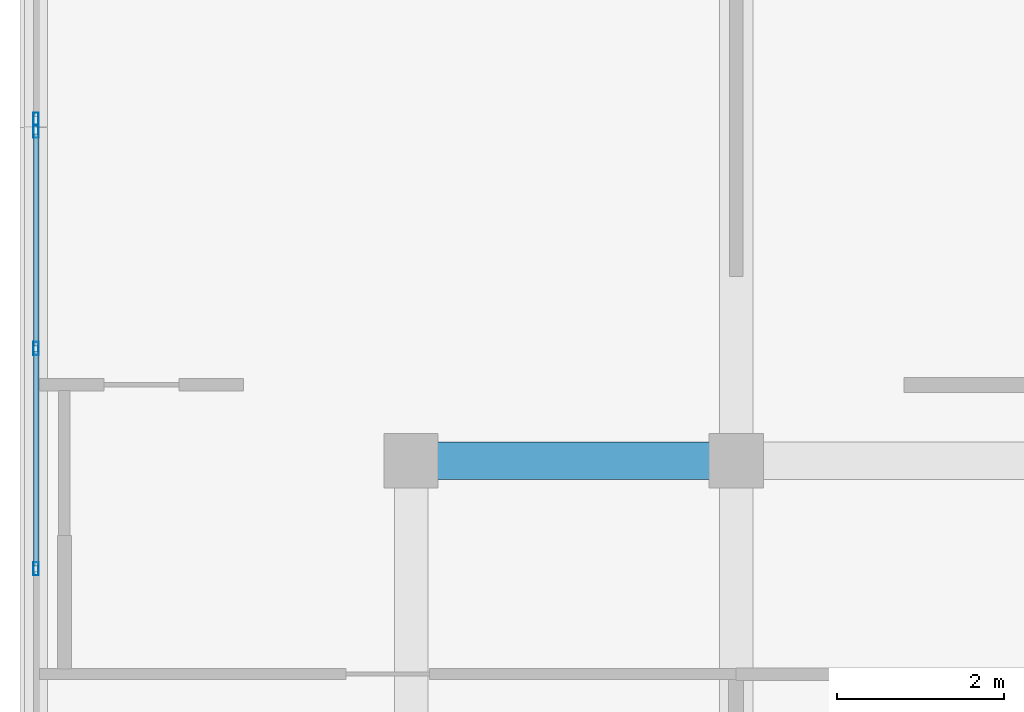
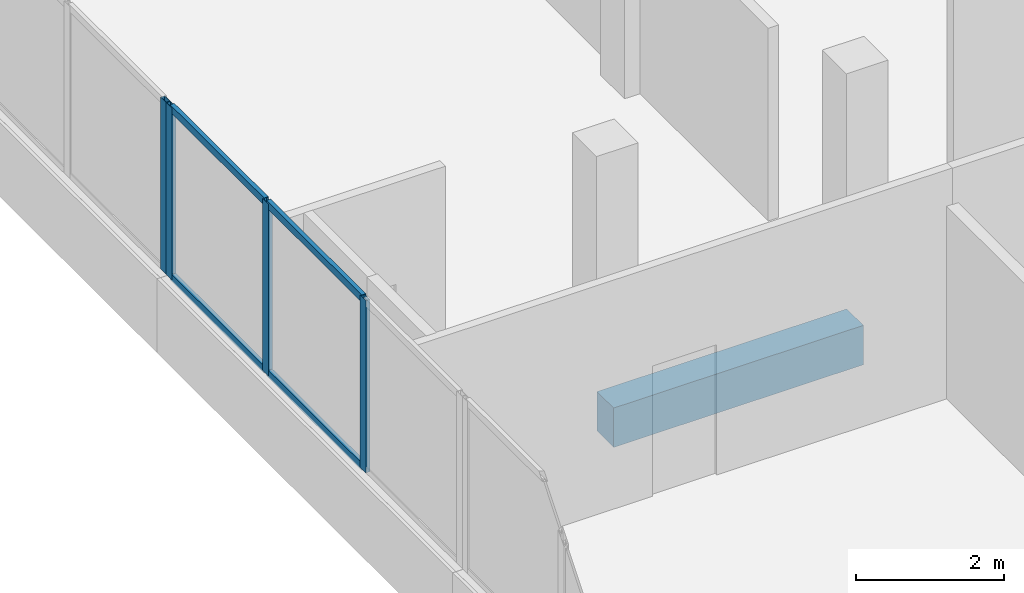
# One storey, part 16 of 76: 8 members, 1 beam, 2 elements without a shape of their own.
"""IFC4 building model written with IfcOpenShell, lengths in metres."""

import ifcopenshell
import ifcopenshell.guid

model = None  # the IFC model being written
_history = None  # IfcOwnerHistory: only IFC2X3 demands one
_inside = {}  # id of a spatial element -> (the spatial element, [elements in it])
_under = {}  # id of a project, library or spatial element -> (it, [spatial elements below it])
_declared = {}  # id of a project -> (the project, [libraries it declares])
_typed = {}  # id of a type object -> (the type object, [elements of that type])
_made_of = {}  # id of a material, layer set ... -> (it, [elements and type objects made of it])


def new_model(schema):
    """Start an empty IFC model of exactly this schema.

    Asked for "IFC4X3", IfcOpenShell would pick the latest addendum, in which some entities
    have other attributes; the version numbers below select the first issue.
    IFC2X3 requires an IfcOwnerHistory on every rooted entity: one is made here for all.
    """
    global model, _history
    if schema == "IFC4X3":
        model = ifcopenshell.file(schema_version=(4, 3, 0, 0))
    else:
        model = ifcopenshell.file(schema=schema)
    _inside.clear()
    _under.clear()
    _declared.clear()
    _typed.clear()
    _made_of.clear()
    _history = None
    if model.schema == "IFC2X3":
        org = make("IfcOrganization", Name="unknown")
        user = make(
            "IfcPersonAndOrganization",
            ThePerson=make("IfcPerson", FamilyName="unknown"),
            TheOrganization=org,
        )
        app = make(
            "IfcApplication",
            ApplicationDeveloper=org,
            Version="unknown",
            ApplicationFullName="unknown",
            ApplicationIdentifier="unknown",
        )
        _history = make(
            "IfcOwnerHistory",
            OwningUser=user,
            OwningApplication=app,
            ChangeAction="ADDED",
            CreationDate=0,
        )
    return model


def make(cls, **values):
    """One entity of the class cls with the attributes given. An attribute that is None is left unset."""
    return model.create_entity(
        cls, **{name: value for name, value in values.items() if value is not None}
    )


def rooted(cls, **values):
    """An entity with a GlobalId (a new one), such as an element, a storey or a relation."""
    return make(cls, GlobalId=ifcopenshell.guid.new(), OwnerHistory=_history, **values)


def si_unit(unit_type, name, prefix=None):
    """IfcSIUnit, for example si_unit("LENGTHUNIT", "METRE", prefix="MILLI")."""
    return make("IfcSIUnit", UnitType=unit_type, Prefix=prefix, Name=name)


def assignment(units):
    """IfcUnitAssignment: the units of a project."""
    return None if units is None else make("IfcUnitAssignment", Units=units)


def point(xyz):
    """IfcCartesianPoint."""
    return None if xyz is None else make("IfcCartesianPoint", Coordinates=xyz)


def direction(xyz):
    """IfcDirection."""
    return None if xyz is None else make("IfcDirection", DirectionRatios=xyz)


def frame(location, z_axis=None, x_axis=None):
    """IfcAxis2Placement3D, a coordinate frame: its origin and axes. An axis left out is left unset."""
    return make(
        "IfcAxis2Placement3D",
        Location=point(location),
        Axis=direction(z_axis),
        RefDirection=direction(x_axis),
    )


def frame_2d(location, x_axis=None):
    """IfcAxis2Placement2D, a coordinate frame in the plane: its origin and x axis."""
    return make(
        "IfcAxis2Placement2D", Location=point(location), RefDirection=direction(x_axis)
    )


def origin():
    """The frame at (0, 0, 0) with its axes left unset."""
    return frame((0.0, 0.0, 0.0))


def origin_2d():
    """The frame at (0, 0) in the plane with its x axis left unset."""
    return frame_2d((0.0, 0.0))


def place(relative_to, where):
    """IfcLocalPlacement: puts the frame where relative to a parent placement (None: the world)."""
    return make(
        "IfcLocalPlacement", PlacementRelTo=relative_to, RelativePlacement=where
    )


def context(
    kind, dimensions, precision=None, world=None, true_north=None, identifier=None
):
    """IfcGeometricRepresentationContext, for example the 3D "Model" context."""
    return make(
        "IfcGeometricRepresentationContext",
        ContextIdentifier=identifier,
        ContextType=kind,
        CoordinateSpaceDimension=dimensions,
        Precision=precision,
        WorldCoordinateSystem=world,
        TrueNorth=true_north,
    )


def subcontext(parent, identifier, kind, view, scale=None):
    """IfcGeometricRepresentationSubContext, for example "Body" below "Model"."""
    return make(
        "IfcGeometricRepresentationSubContext",
        ContextIdentifier=identifier,
        ContextType=kind,
        ParentContext=parent,
        TargetScale=scale,
        TargetView=view,
    )


def project(units=None, contexts=None):
    """IfcProject with its units and contexts."""
    return rooted(
        "IfcProject",
        Name="project",
        RepresentationContexts=contexts,
        UnitsInContext=assignment(units),
    )


def spatial(cls, under=None, at=None, **own):
    """A site, building, storey or space (cls), placed at a placement, below another one or the project."""
    s = rooted(cls, ObjectPlacement=at, **own)
    if under is not None:
        _under.setdefault(under.id(), (under, []))[1].append(s)
    return s


def profile(cls, at=None, kind="AREA", **sizes):
    """A parametric profile (cls). Its sizes go by their IFC names, for example OverallWidth=200.0."""
    return make(cls, ProfileType=kind, Position=at, **sizes)


def rectangle(**sizes):
    """IfcRectangleProfileDef."""
    return profile("IfcRectangleProfileDef", **sizes)


def hollow_rectangle(**sizes):
    """IfcRectangleHollowProfileDef."""
    return profile("IfcRectangleHollowProfileDef", **sizes)


def extrude(swept, where, along, depth):
    """IfcExtrudedAreaSolid: the profile swept, set in the frame where, extruded along a direction by depth."""
    return make(
        "IfcExtrudedAreaSolid",
        SweptArea=swept,
        Position=where,
        ExtrudedDirection=direction(along),
        Depth=depth,
    )


def shape(context_of_items, identifier, shape_type, items):
    """IfcShapeRepresentation: the items that make up one representation, for example the "Body"."""
    return make(
        "IfcShapeRepresentation",
        ContextOfItems=context_of_items,
        RepresentationIdentifier=identifier,
        RepresentationType=shape_type,
        Items=items,
    )


def material(Name=None, Category=None):
    """IfcMaterial."""
    return make("IfcMaterial", Name=Name, Category=Category)


def material_profile(
    of_material, cross_section, Name=None, Category=None, Priority=None
):
    """IfcMaterialProfile: a cross section and its material."""
    return make(
        "IfcMaterialProfile",
        Name=Name,
        Material=of_material,
        Profile=cross_section,
        Priority=Priority,
        Category=Category,
    )


def profile_set(profiles, Name=None, composite=None):
    """IfcMaterialProfileSet."""
    return make(
        "IfcMaterialProfileSet",
        Name=Name,
        MaterialProfiles=profiles,
        CompositeProfile=composite,
    )


def made_of(thing, what):
    """Note that an element or type object is made of a material, layer set ...; save() writes the relation."""
    if what is not None:
        _made_of.setdefault(what.id(), (what, []))[1].append(thing)
    return thing


def type_object(cls, material=None, **own):
    """A type object (cls), such as IfcWallType, which elements share."""
    return made_of(rooted(cls, **own), material)


def element(
    cls,
    number,
    at=None,
    inside=None,
    cuts=None,
    type_object=None,
    material=None,
    context=None,
    identifier="Body",
    shape_type=None,
    held_by="IfcProductDefinitionShape",
    body=None,
    shapes=None,
    **own,
):
    """One element of the class cls, such as IfcWall. Its Tag is "e" and its number.

    at: its placement. inside: the storey or other place that contains it. cuts: it is an
    opening in that element (IfcRelVoidsElement). A single representation is given by context,
    identifier, shape_type and body (its items); several are given by shapes. held_by: the class
    of the entity that holds the representations. save() writes the other relations.
    """
    e = rooted(cls, Tag="e%d" % number, ObjectPlacement=at, **own)
    if body is not None:
        shapes = [shape(context, identifier, shape_type, body)]
    if shapes is not None:
        e.Representation = make(held_by, Representations=shapes)
    if inside is not None:
        _inside.setdefault(inside.id(), (inside, []))[1].append(e)
    if cuts is not None:
        rooted(
            "IfcRelVoidsElement", RelatingBuildingElement=cuts, RelatedOpeningElement=e
        )
    if type_object is not None:
        _typed.setdefault(type_object.id(), (type_object, []))[1].append(e)
    return made_of(e, material)


def aggregate(whole, parts):
    """IfcRelAggregates: a whole, such as a stair, and the parts it consists of."""
    return rooted("IfcRelAggregates", RelatingObject=whole, RelatedObjects=parts)


def save(model, path):
    """Write the relations noted so far, then the file.

    IfcRelAggregates (storeys below a building ...), IfcRelContainedInSpatialStructure (elements
    in a storey), IfcRelDefinesByType, IfcRelAssociatesMaterial and IfcRelDeclares: one each for
    every whole, place, type object, material and project.
    """
    for whole, parts in _under.values():
        aggregate(whole, parts)
    for where, things in _inside.values():
        rooted(
            "IfcRelContainedInSpatialStructure",
            RelatedElements=things,
            RelatingStructure=where,
        )
    for kind, things in _typed.values():
        rooted("IfcRelDefinesByType", RelatedObjects=things, RelatingType=kind)
    for what, things in _made_of.values():
        rooted("IfcRelAssociatesMaterial", RelatedObjects=things, RelatingMaterial=what)
    for by, libraries in _declared.values():
        rooted("IfcRelDeclares", RelatingContext=by, RelatedDefinitions=libraries)
    model.write(path)


model = new_model("IFC4")

# Units and contexts
model_context = context("Model", 3, precision=1e-05, world=origin(), true_north=direction((0.0, 1.0)))
body_context = subcontext(model_context, "Body", "Model", "MODEL_VIEW")
ifc_project = project(units=[si_unit("LENGTHUNIT", "METRE"), si_unit("AREAUNIT", "SQUARE_METRE"), si_unit("VOLUMEUNIT", "CUBIC_METRE"), si_unit("PLANEANGLEUNIT", "RADIAN"), si_unit("MASSUNIT", "GRAM", prefix="KILO")], contexts=[model_context])

# Site, building, storey
site_placement = place(None, origin())
site = spatial("IfcSite", under=ifc_project, at=site_placement, CompositionType="ELEMENT")
building_placement = place(site_placement, origin())
building = spatial("IfcBuilding", under=site, at=building_placement, Name="Selatvlak General Hospital", CompositionType="ELEMENT")
storey_placement = place(building_placement, frame((0.0, 0.0, 27.300048828125)))
storey = spatial("IfcBuildingStorey", under=building, at=storey_placement, Name="L06", CompositionType="ELEMENT", Elevation=27.300048828125)

# Beam
ifc_material_1 = material(Name="Concrete C40/50", Category="concrete")
ifc_material_profile_1 = material_profile(ifc_material_1, rectangle(XDim=0.449951171875, YDim=0.64990234375, at=origin_2d()), Name="RC-BM 450x650")
ifc_profile_set_1 = profile_set([ifc_material_profile_1], Name="Concrete C40/50")
beam_type = type_object("IfcBeamType", Name="BM-G04", PredefinedType="BEAM", material=ifc_profile_set_1)
beam_placement = place(storey_placement, frame((27.300048828125, 108.0, -0.60009765625), z_axis=(1.0, 0.0, 0.0), x_axis=(0.0, 1.0, 0.0)))
element("IfcBeam", 1, at=beam_placement, inside=storey, type_object=beam_type, Name="Beam BMR-L06-2206", PredefinedType="BEAM", context=body_context, shape_type="SweptSolid", body=[
    extrude(rectangle(XDim=0.449951171875, YDim=0.64990234375, at=origin_2d()), origin(), (0.0, 0.0, 1.0), 3.89990234375),
])

# Curtain wall, members
ifc_material_2 = material(Name="Solar-control Low-E double glazing", Category="glass")
curtain_wall_type_1 = type_object("IfcCurtainWallType", Name="CW-CW-02", PredefinedType="USERDEFINED", material=ifc_material_2)
curtain_wall_1_placement = place(storey_placement, origin())
curtain_wall_1 = element("IfcCurtainWall", 2, at=curtain_wall_1_placement, inside=storey, type_object=curtain_wall_type_1, Name="Glazed facade curtain wall CW-L06-0596", ObjectType="UNITISED CURTAIN WALL", PredefinedType="USERDEFINED")
ifc_material_3 = material(Name="Dark anodised aluminium mullion", Category="aluminium")
ifc_material_profile_2 = material_profile(ifc_material_3, hollow_rectangle(XDim=0.06494140625, YDim=0.159912109375, WallThickness=0.00390625, at=origin_2d()), Name="AL-MUL 65x160x4")
ifc_profile_set_2 = profile_set([ifc_material_profile_2], Name="Dark anodised aluminium mullion")
member_type_1 = type_object("IfcMemberType", Name="CWM-01", PredefinedType="MULLION", material=ifc_profile_set_2)
member_1_placement = place(storey_placement, frame((22.800048828125, 106.7041015625, 0.93994140625), z_axis=(0.0, 0.0, 1.0), x_axis=(-1.0, 0.0, 0.0)))
member_1 = element("IfcMember", 3, at=member_1_placement, type_object=member_type_1, Name="CW-02 mullion 2", PredefinedType="MULLION", context=body_context, shape_type="SweptSolid", body=[
    extrude(hollow_rectangle(XDim=0.06494140625, YDim=0.159912109375, WallThickness=0.00390625, at=origin_2d()), origin(), (0.0, 0.0, 1.0), 2.840087890625),
])
member_2_placement = place(storey_placement, frame((22.800048828125, 109.343994140625, 0.93994140625), z_axis=(0.0, 0.0, 1.0), x_axis=(-1.0, 0.0, 0.0)))
member_2 = element("IfcMember", 4, at=member_2_placement, type_object=member_type_1, Name="CW-02 mullion 3", PredefinedType="MULLION", context=body_context, shape_type="SweptSolid", body=[
    extrude(hollow_rectangle(XDim=0.06494140625, YDim=0.159912109375, WallThickness=0.00390625, at=origin_2d()), origin(), (0.0, 0.0, 1.0), 2.840087890625),
])
member_3_placement = place(storey_placement, frame((22.800048828125, 111.951416015625, 0.93994140625), z_axis=(0.0, 0.0, 1.0), x_axis=(-1.0, 0.0, 0.0)))
member_3 = element("IfcMember", 5, at=member_3_placement, type_object=member_type_1, Name="CW-02 mullion 4", PredefinedType="MULLION", context=body_context, shape_type="SweptSolid", body=[
    extrude(hollow_rectangle(XDim=0.06494140625, YDim=0.159912109375, WallThickness=0.00390625, at=origin_2d()), origin(), (0.0, 0.0, 1.0), 2.840087890625),
])

# Curtain wall, member
curtain_wall_type_2 = type_object("IfcCurtainWallType", Name="CW-CW-01", PredefinedType="USERDEFINED", material=ifc_material_2)
curtain_wall_2_placement = place(storey_placement, origin())
curtain_wall_2 = element("IfcCurtainWall", 6, at=curtain_wall_2_placement, inside=storey, type_object=curtain_wall_type_2, Name="Glazed facade curtain wall CW-L06-0597", ObjectType="UNITISED CURTAIN WALL", PredefinedType="USERDEFINED")
member_4_placement = place(storey_placement, frame((22.800048828125, 112.096435546875, 0.93994140625), z_axis=(0.0, 0.0, 1.0), x_axis=(-1.0, 0.0, 0.0)))
member_4 = element("IfcMember", 7, at=member_4_placement, type_object=member_type_1, Name="CW-01 mullion 1", PredefinedType="MULLION", context=body_context, shape_type="SweptSolid", body=[
    extrude(hollow_rectangle(XDim=0.06494140625, YDim=0.159912109375, WallThickness=0.00390625, at=origin_2d()), origin(), (0.0, 0.0, 1.0), 2.840087890625),
])
aggregate(curtain_wall_2, [member_4])

# Member
ifc_material_profile_3 = material_profile(ifc_material_3, hollow_rectangle(XDim=0.06494140625, YDim=0.1201171875, WallThickness=0.00390625, at=origin_2d()), Name="AL-TRN 65x120x4")
ifc_profile_set_3 = profile_set([ifc_material_profile_3], Name="Dark anodised aluminium mullion")
member_type_2 = type_object("IfcMemberType", Name="CWT-01", PredefinedType="USERDEFINED", material=ifc_profile_set_3)
member_5_placement = place(storey_placement, frame((22.800048828125, 106.736572265625, 0.972412109375), z_axis=(0.0, 1.0, 0.0), x_axis=(-1.0, 0.0, 0.0)))
member_5 = element("IfcMember", 8, at=member_5_placement, type_object=member_type_2, Name="CW-02 transom 2.1", ObjectType="TRANSOM", PredefinedType="USERDEFINED", context=body_context, shape_type="SweptSolid", body=[
    extrude(hollow_rectangle(XDim=0.06494140625, YDim=0.1201171875, WallThickness=0.00390625, at=origin_2d()), origin(), (0.0, 0.0, 1.0), 2.574951171875),
])

member_6_placement = place(storey_placement, frame((22.800048828125, 106.736572265625, 3.74755859375), z_axis=(0.0, 1.0, 0.0), x_axis=(-1.0, 0.0, 0.0)))
member_6 = element("IfcMember", 9, at=member_6_placement, type_object=member_type_2, Name="CW-02 transom 2.2", ObjectType="TRANSOM", PredefinedType="USERDEFINED", context=body_context, shape_type="SweptSolid", body=[
    extrude(hollow_rectangle(XDim=0.06494140625, YDim=0.1201171875, WallThickness=0.00390625, at=origin_2d()), origin(), (0.0, 0.0, 1.0), 2.574951171875),
])

member_7_placement = place(storey_placement, frame((22.800048828125, 109.37646484375, 0.972412109375), z_axis=(0.0, 1.0, 0.0), x_axis=(-1.0, 0.0, 0.0)))
member_7 = element("IfcMember", 10, at=member_7_placement, type_object=member_type_2, Name="CW-02 transom 3.1", ObjectType="TRANSOM", PredefinedType="USERDEFINED", context=body_context, shape_type="SweptSolid", body=[
    extrude(hollow_rectangle(XDim=0.06494140625, YDim=0.1201171875, WallThickness=0.00390625, at=origin_2d()), origin(), (0.0, 0.0, 1.0), 2.54248046875),
])

member_8_placement = place(storey_placement, frame((22.800048828125, 109.37646484375, 3.74755859375), z_axis=(0.0, 1.0, 0.0), x_axis=(-1.0, 0.0, 0.0)))
member_8 = element("IfcMember", 11, at=member_8_placement, type_object=member_type_2, Name="CW-02 transom 3.2", ObjectType="TRANSOM", PredefinedType="USERDEFINED", context=body_context, shape_type="SweptSolid", body=[
    extrude(hollow_rectangle(XDim=0.06494140625, YDim=0.1201171875, WallThickness=0.00390625, at=origin_2d()), origin(), (0.0, 0.0, 1.0), 2.54248046875),
])

aggregate(curtain_wall_1, [member_1, member_2, member_3, member_5, member_6, member_7, member_8])

save(model, "model.ifc")
